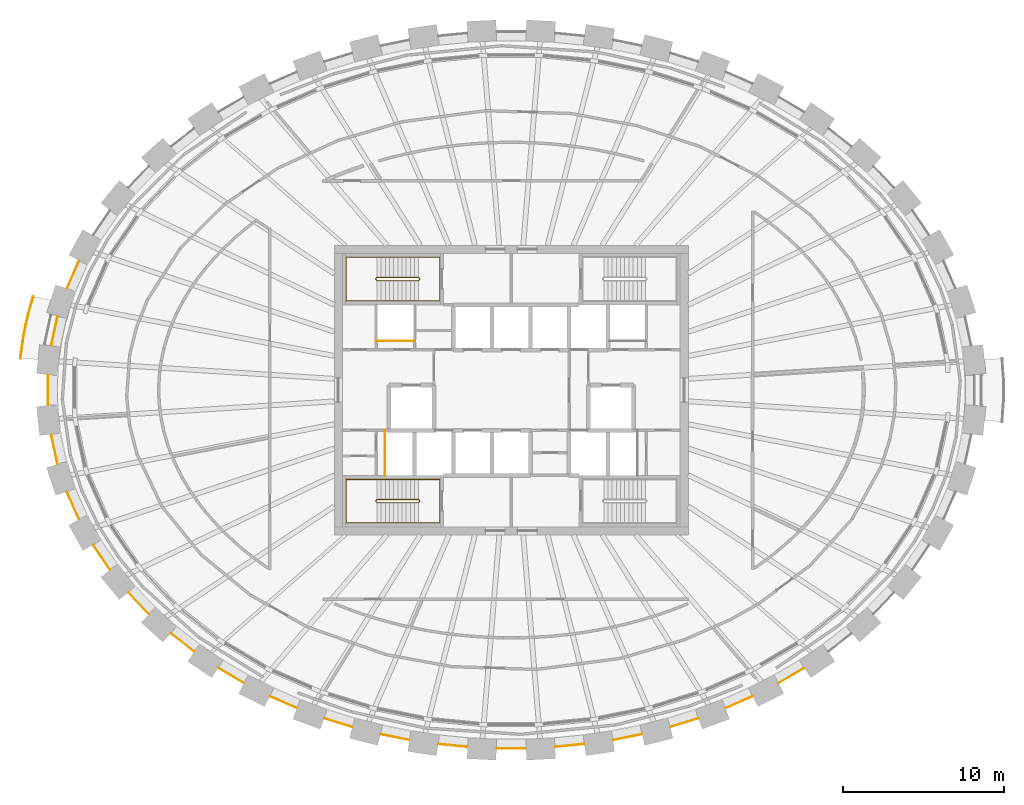
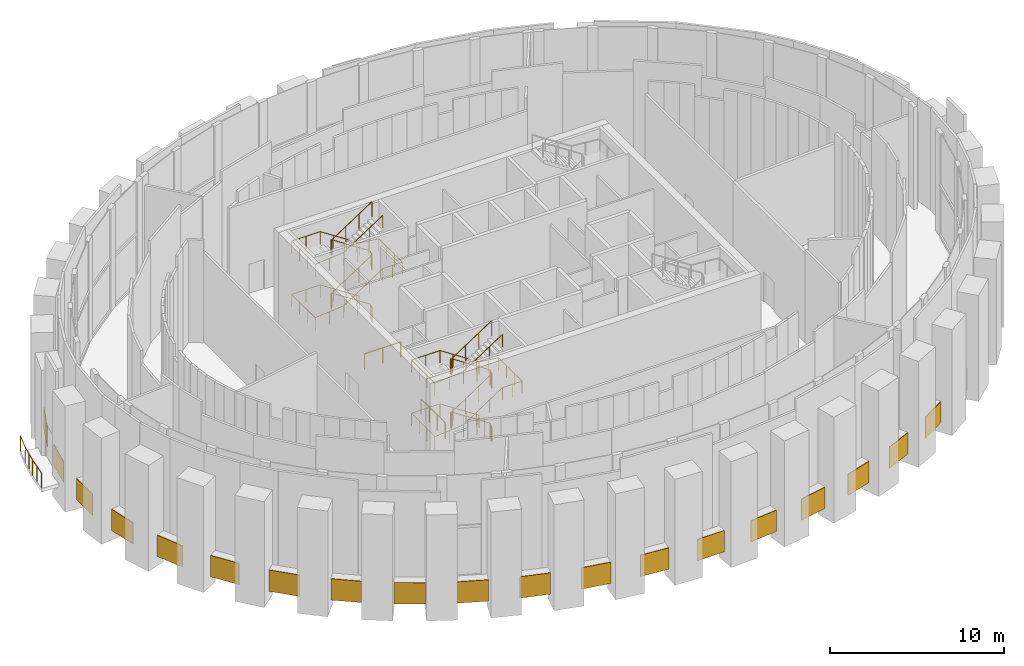
# One storey, part 15 of 16: 19 coverings, 7 railings.
"""IFC4 building model written with IfcOpenShell, lengths in metres."""

from ifc_helpers import new_model, si_unit, direction, frame, origin, origin_2d, place, context, subcontext, project, spatial, rectangle, circle, extrude, source, transform, mapped, material, layer, layer_set, type_object, element, save


model = new_model("IFC4")

# Units and contexts
model_context = context("Model", 3, precision=1e-05, world=origin(), true_north=direction((0.0, 1.0)))
body_context = subcontext(model_context, "Body", "Model", "MODEL_VIEW")
ifc_project = project(units=[si_unit("LENGTHUNIT", "METRE"), si_unit("AREAUNIT", "SQUARE_METRE"), si_unit("VOLUMEUNIT", "CUBIC_METRE"), si_unit("PLANEANGLEUNIT", "RADIAN"), si_unit("MASSUNIT", "GRAM", prefix="KILO")], contexts=[model_context])

# Site, building, storey
site_placement = place(None, origin())
site = spatial("IfcSite", under=ifc_project, at=site_placement, CompositionType="ELEMENT")
building_placement = place(site_placement, origin())
building = spatial("IfcBuilding", under=site, at=building_placement, Name="Embergate Tower", CompositionType="ELEMENT")
storey_placement = place(building_placement, frame((0.0, 0.0, 332.5)))
storey = spatial("IfcBuildingStorey", under=building, at=storey_placement, Name="L78", CompositionType="ELEMENT", Elevation=332.5)

# Coverings
ifc_material_1 = material(Name="Terracotta rainscreen on insulated backing", Category="masonry")
ifc_layer = layer(ifc_material_1, 0.0400390625)
ifc_layer_set = layer_set([ifc_layer], Name="Terracotta rainscreen on insulated backing")
covering_type = type_object("IfcCoveringType", Name="Terracotta rainscreen band", PredefinedType="CLADDING", material=ifc_layer_set)
shared_shape_1 = source(origin(), body_context, "Body", "SweptSolid", [
    extrude(rectangle(XDim=1.841064453125, YDim=0.0400390625, at=origin_2d()), origin(), (0.0, 0.0, 1.0), 1.5),
])
for number, where, z_axis, x_axis, name in (
    (1, (-28.393798828125, 3.673095703125, -0.75), (0.0, 0.0, 1.0), (-0.210197047879, -0.977659041314, 0.0), "Rainscreen band 21"),
    (2, (-28.393798828125, -3.673095703125, -0.75), (0.0, 0.0, 1.0), (0.210197047879, -0.977659041314, 0.0), "Rainscreen band 23"),
):
    element("IfcCovering", number, at=place(storey_placement, frame(where, z_axis=z_axis, x_axis=x_axis)), inside=storey, type_object=covering_type, Name=name, PredefinedType="CLADDING", context=body_context, shape_type="MappedRepresentation", body=[
        mapped(shared_shape_1, transform((0.0, 0.0, 0.0))),
    ])
shared_shape_2 = source(origin(), body_context, "Body", "SweptSolid", [
    extrude(rectangle(XDim=1.83349609375, YDim=0.0400390625, at=origin_2d()), origin(), (0.0, 0.0, 1.0), 1.5),
])
for number, where, z_axis, x_axis, name in (
    (3, (-27.240478515625, 7.175048828125, -0.75), (0.0, 0.0, 1.0), (-0.401934991555, -0.9156682055, 0.0), "Rainscreen band 20"),
    (4, (-27.240478515625, -7.175048828125, -0.75), (0.0, 0.0, 1.0), (0.401934991555, -0.9156682055, 0.0), "Rainscreen band 24"),
):
    element("IfcCovering", number, at=place(storey_placement, frame(where, z_axis=z_axis, x_axis=x_axis)), inside=storey, type_object=covering_type, Name=name, PredefinedType="CLADDING", context=body_context, shape_type="MappedRepresentation", body=[
        mapped(shared_shape_2, transform((0.0, 0.0, 0.0))),
    ])
shared_shape_3 = source(origin(), body_context, "Body", "SweptSolid", [
    extrude(rectangle(XDim=1.8291015625, YDim=0.0400390625, at=origin_2d()), origin(), (0.0, 0.0, 1.0), 1.5),
])
covering_1_placement = place(storey_placement, frame((-25.4599609375, -10.393310546875, -0.75), z_axis=(0.0, 0.0, 1.0), x_axis=(0.561995319464, -0.827140411841, 0.0)))
element("IfcCovering", 5, at=covering_1_placement, inside=storey, type_object=covering_type, Name="Rainscreen band 25", PredefinedType="CLADDING", context=body_context, shape_type="MappedRepresentation", body=[
    mapped(shared_shape_3, transform((0.0, 0.0, 0.0))),
])
shared_shape_4 = source(origin(), body_context, "Body", "SweptSolid", [
    extrude(rectangle(XDim=1.82421875, YDim=0.0400390625, at=origin_2d()), origin(), (0.0, 0.0, 1.0), 1.5),
])
covering_2_placement = place(storey_placement, frame((-23.155029296875, -13.24755859375, -0.75), z_axis=(0.0, 0.0, 1.0), x_axis=(0.690189357203, -0.723628807611, 0.0)))
element("IfcCovering", 6, at=covering_2_placement, inside=storey, type_object=covering_type, Name="Rainscreen band 26", PredefinedType="CLADDING", context=body_context, shape_type="MappedRepresentation", body=[
    mapped(shared_shape_4, transform((0.0, 0.0, 0.0))),
])
shared_shape_5 = source(origin(), body_context, "Body", "SweptSolid", [
    extrude(rectangle(XDim=1.81884765625, YDim=0.0400390625, at=origin_2d()), origin(), (0.0, 0.0, 1.0), 1.5),
])
covering_3_placement = place(storey_placement, frame((-20.429443359375, -15.690185546875, -0.75), z_axis=(0.0, 0.0, 1.0), x_axis=(0.788373808279, -0.615196503907, 0.0)))
element("IfcCovering", 7, at=covering_3_placement, inside=storey, type_object=covering_type, Name="Rainscreen band 27", PredefinedType="CLADDING", context=body_context, shape_type="MappedRepresentation", body=[
    mapped(shared_shape_5, transform((0.0, 0.0, 0.0))),
])
shared_shape_6 = source(origin(), body_context, "Body", "SweptSolid", [
    extrude(rectangle(XDim=1.814453125, YDim=0.0400390625, at=origin_2d()), origin(), (0.0, 0.0, 1.0), 1.5),
])
for number, where, z_axis, x_axis, name in (
    (8, (-17.40966796875, -17.743408203125, -0.75), (0.0, 0.0, 1.0), (0.861934612657, -0.507019450813, 0.0), "Rainscreen band 28"),
    (9, (17.40966796875, -17.743408203125, -0.75), (0.0, 0.0, 1.0), (0.861934612657, 0.507019450813, 0.0), "Rainscreen band 38"),
):
    element("IfcCovering", number, at=place(storey_placement, frame(where, z_axis=z_axis, x_axis=x_axis)), inside=storey, type_object=covering_type, Name=name, PredefinedType="CLADDING", context=body_context, shape_type="MappedRepresentation", body=[
        mapped(shared_shape_6, transform((0.0, 0.0, 0.0))),
    ])
shared_shape_7 = source(origin(), body_context, "Body", "SweptSolid", [
    extrude(rectangle(XDim=1.812744140625, YDim=0.0400390625, at=origin_2d()), origin(), (0.0, 0.0, 1.0), 1.5),
])
for number, where, z_axis, x_axis, name in (
    (10, (-14.16259765625, -19.400390625, -0.75), (0.0, 0.0, 1.0), (0.916296336583, -0.400500965747, 0.0), "Rainscreen band 29"),
    (11, (14.16259765625, -19.400390625, -0.75), (0.0, 0.0, 1.0), (0.916296336583, 0.400500965747, 0.0), "Rainscreen band 37"),
):
    element("IfcCovering", number, at=place(storey_placement, frame(where, z_axis=z_axis, x_axis=x_axis)), inside=storey, type_object=covering_type, Name=name, PredefinedType="CLADDING", context=body_context, shape_type="MappedRepresentation", body=[
        mapped(shared_shape_7, transform((0.0, 0.0, 0.0))),
    ])
shared_shape_8 = source(origin(), body_context, "Body", "SweptSolid", [
    extrude(rectangle(XDim=1.810791015625, YDim=0.0400390625, at=origin_2d()), origin(), (0.0, 0.0, 1.0), 1.5),
])
for number, where, z_axis, x_axis, name in (
    (12, (-10.751220703125, -20.672607421875, -0.75), (0.0, 0.0, 1.0), (0.954842767896, -0.297111576006, 0.0), "Rainscreen band 30"),
    (13, (10.751220703125, -20.672607421875, -0.75), (0.0, 0.0, 1.0), (0.954842767896, 0.297111576006, 0.0), "Rainscreen band 36"),
):
    element("IfcCovering", number, at=place(storey_placement, frame(where, z_axis=z_axis, x_axis=x_axis)), inside=storey, type_object=covering_type, Name=name, PredefinedType="CLADDING", context=body_context, shape_type="MappedRepresentation", body=[
        mapped(shared_shape_8, transform((0.0, 0.0, 0.0))),
    ])
shared_shape_9 = source(origin(), body_context, "Body", "SweptSolid", [
    extrude(rectangle(XDim=1.809326171875, YDim=0.0400390625, at=origin_2d()), origin(), (0.0, 0.0, 1.0), 1.5),
])
for number, where, z_axis, x_axis, name in (
    (14, (-7.22607421875, -21.572265625, -0.75), (0.0, 0.0, 1.0), (0.98045290629, -0.196753903515, 0.0), "Rainscreen band 31"),
    (15, (7.22607421875, -21.572265625, -0.75), (0.0, 0.0, 1.0), (0.98045290629, 0.196753903515, 0.0), "Rainscreen band 35"),
):
    element("IfcCovering", number, at=place(storey_placement, frame(where, z_axis=z_axis, x_axis=x_axis)), inside=storey, type_object=covering_type, Name=name, PredefinedType="CLADDING", context=body_context, shape_type="MappedRepresentation", body=[
        mapped(shared_shape_9, transform((0.0, 0.0, 0.0))),
    ])
shared_shape_10 = source(origin(), body_context, "Body", "SweptSolid", [
    extrude(rectangle(XDim=1.806640625, YDim=0.0400390625, at=origin_2d()), origin(), (0.0, 0.0, 1.0), 1.5),
])
for number, where, z_axis, x_axis, name in (
    (16, (-3.6279296875, -22.088134765625, -0.75), (0.0, 0.0, 1.0), (0.995189515505, -0.097968506312, 0.0), "Rainscreen band 32"),
    (17, (3.6279296875, -22.088134765625, -0.75), (0.0, 0.0, 1.0), (0.995189515505, 0.097968506312, 0.0), "Rainscreen band 34"),
):
    element("IfcCovering", number, at=place(storey_placement, frame(where, z_axis=z_axis, x_axis=x_axis)), inside=storey, type_object=covering_type, Name=name, PredefinedType="CLADDING", context=body_context, shape_type="MappedRepresentation", body=[
        mapped(shared_shape_10, transform((0.0, 0.0, 0.0))),
    ])
shared_shape_11 = source(origin(), body_context, "Body", "SweptSolid", [
    extrude(rectangle(XDim=1.805908203125, YDim=0.0400390625, at=origin_2d()), origin(), (0.0, 0.0, 1.0), 1.5),
])
covering_4_placement = place(storey_placement, frame((0.0, -22.26708984375, -0.75), z_axis=(0.0, 0.0, 1.0), x_axis=(1.0, 0.0, 0.0)))
element("IfcCovering", 18, at=covering_4_placement, inside=storey, type_object=covering_type, Name="Rainscreen band 33", PredefinedType="CLADDING", context=body_context, shape_type="MappedRepresentation", body=[
    mapped(shared_shape_11, transform((0.0, 0.0, 0.0))),
])
shared_shape_12 = source(origin(), body_context, "Body", "SweptSolid", [
    extrude(rectangle(XDim=1.842041015625, YDim=0.0400390625, at=origin_2d()), origin(), (0.0, 0.0, 1.0), 1.5),
])
covering_5_placement = place(storey_placement, frame((-28.784912109375, 0.0, -0.75), z_axis=(0.0, 0.0, 1.0), x_axis=(0.0, -1.0, 0.0)))
element("IfcCovering", 19, at=covering_5_placement, inside=storey, type_object=covering_type, Name="Rainscreen band 22", PredefinedType="CLADDING", context=body_context, shape_type="MappedRepresentation", body=[
    mapped(shared_shape_12, transform((0.0, 0.0, 0.0))),
])

# Railings
ifc_material_2 = material(Name="Stair guard 1100")
railing_type_1 = type_object("IfcRailingType", Name="Stair guard 1100", PredefinedType="GUARDRAIL", material=ifc_material_2)
shared_shape_13 = source(origin(), body_context, "Body", "SweptSolid", [
    extrude(circle(Radius=0.02392578125, at=origin_2d()), frame((0.0, 0.0, 1.076171875), z_axis=(0.0, 1.0, 0.0), x_axis=(-1.0, 0.0, 0.0)), (0.0, 0.0, 1.0), 0.099853515625),
    extrude(circle(Radius=0.02392578125, at=origin_2d()), frame((0.0, 0.099853515625, 1.076171875), z_axis=(-0.271230943075, 0.271230943075, 0.923508284228), x_axis=(-0.707106781187, -0.707106781187, 0.0)), (0.0, 0.0, 1.0), 0.1845703125),
    extrude(circle(Radius=0.02392578125, at=origin_2d()), frame((-0.050048828125, 0.14990234375, 1.24658203125), z_axis=(-0.836302213143, 0.0, 0.548268737292), x_axis=(0.0, -1.0, 0.0)), (0.0, 0.0, 1.0), 3.109130859375),
    extrude(circle(Radius=0.02392578125, at=origin_2d()), frame((-2.650146484375, 0.14990234375, 2.951171875), z_axis=(-0.705375805398, -0.708833529934, 0.0), x_axis=(0.708833529934, -0.705375805398, 0.0)), (0.0, 0.0, 1.0), 0.070556640625),
    extrude(circle(Radius=0.02392578125, at=origin_2d()), frame((-2.699951171875, 0.099853515625, 2.951171875), z_axis=(0.0, -1.0, 0.0), x_axis=(1.0, 0.0, 0.0)), (0.0, 0.0, 1.0), 0.099853515625),
    extrude(circle(Radius=0.02392578125, at=origin_2d()), frame((-2.699951171875, 0.0, 2.951171875), z_axis=(0.270004540015, -0.271328091682, 0.923839063385), x_axis=(0.708833529934, 0.705375805398, 0.0)), (0.0, 0.0, 1.0), 0.1845703125),
    extrude(circle(Radius=0.02392578125, at=origin_2d()), frame((-2.650146484375, -0.050048828125, 3.12158203125), z_axis=(0.836302213143, 0.0, 0.548268737292), x_axis=(0.0, 1.0, 0.0)), (0.0, 0.0, 1.0), 3.109130859375),
    extrude(circle(Radius=0.02392578125, at=origin_2d()), frame((-0.050048828125, -0.050048828125, 4.826171875), z_axis=(0.707106781187, 0.707106781187, 0.0), x_axis=(-0.707106781187, 0.707106781187, 0.0)), (0.0, 0.0, 1.0), 0.07080078125),
    extrude(circle(Radius=0.02392578125, at=origin_2d()), frame((0.0, 0.0, 4.826171875), z_axis=(0.0, 1.0, 0.0), x_axis=(-1.0, 0.0, 0.0)), (0.0, 0.0, 1.0), 0.099853515625),
    extrude(circle(Radius=0.02392578125, at=origin_2d()), frame((0.0, 0.099853515625, 4.826171875), z_axis=(-0.271230943075, 0.271230943075, 0.923508284228), x_axis=(-0.707106781187, -0.707106781187, 0.0)), (0.0, 0.0, 1.0), 0.1845703125),
    extrude(circle(Radius=0.02392578125, at=origin_2d()), frame((-0.050048828125, 0.14990234375, 4.99658203125), z_axis=(-0.836302213143, 0.0, 0.548268737292), x_axis=(0.0, -1.0, 0.0)), (0.0, 0.0, 1.0), 3.109130859375),
    extrude(circle(Radius=0.02392578125, at=origin_2d()), frame((-2.650146484375, 0.14990234375, 6.701171875), z_axis=(-0.705375805398, -0.708833529934, 0.0), x_axis=(0.708833529934, -0.705375805398, 0.0)), (0.0, 0.0, 1.0), 0.070556640625),
    extrude(circle(Radius=0.02392578125, at=origin_2d()), frame((-2.699951171875, 0.099853515625, 6.701171875), z_axis=(0.0, -1.0, 0.0), x_axis=(1.0, 0.0, 0.0)), (0.0, 0.0, 1.0), 0.099853515625),
    extrude(circle(Radius=0.02392578125, at=origin_2d()), frame((-2.699951171875, 0.0, 6.701171875), z_axis=(0.270004540015, -0.271328091682, 0.923839063385), x_axis=(0.708833529934, 0.705375805398, 0.0)), (0.0, 0.0, 1.0), 0.1845703125),
    extrude(circle(Radius=0.02392578125, at=origin_2d()), frame((-2.650146484375, -0.050048828125, 6.87158203125), z_axis=(0.836302213143, 0.0, 0.548268737292), x_axis=(0.0, 1.0, 0.0)), (0.0, 0.0, 1.0), 3.109130859375),
    extrude(circle(Radius=0.02099609375, at=origin_2d()), origin(), (0.0, 0.0, 1.0), 1.052001953125),
    extrude(circle(Radius=0.02099609375, at=origin_2d()), frame((0.0, 0.099853515625, 0.0)), (0.0, 0.0, 1.0), 1.052001953125),
    extrude(circle(Radius=0.02099609375, at=origin_2d()), frame((-0.050048828125, 0.14990234375, 0.17041015625)), (0.0, 0.0, 1.0), 1.052001953125),
    extrude(circle(Radius=0.02099609375, at=origin_2d()), frame((-0.916748046875, 0.14990234375, 0.738525390625)), (0.0, 0.0, 1.0), 1.052001953125),
    extrude(circle(Radius=0.02099609375, at=origin_2d()), frame((-1.783447265625, 0.14990234375, 1.306884765625)), (0.0, 0.0, 1.0), 1.052001953125),
    extrude(circle(Radius=0.02099609375, at=origin_2d()), frame((-2.650146484375, 0.14990234375, 1.875)), (0.0, 0.0, 1.0), 1.052001953125),
    extrude(circle(Radius=0.02099609375, at=origin_2d()), frame((-2.699951171875, 0.099853515625, 1.875)), (0.0, 0.0, 1.0), 1.052001953125),
    extrude(circle(Radius=0.02099609375, at=origin_2d()), frame((-2.699951171875, 0.0, 1.875)), (0.0, 0.0, 1.0), 1.052001953125),
    extrude(circle(Radius=0.02099609375, at=origin_2d()), frame((-2.650146484375, -0.050048828125, 2.04541015625)), (0.0, 0.0, 1.0), 1.052001953125),
    extrude(circle(Radius=0.02099609375, at=origin_2d()), frame((-1.783447265625, -0.050048828125, 2.613525390625)), (0.0, 0.0, 1.0), 1.052001953125),
    extrude(circle(Radius=0.02099609375, at=origin_2d()), frame((-0.916748046875, -0.050048828125, 3.181884765625)), (0.0, 0.0, 1.0), 1.052001953125),
    extrude(circle(Radius=0.02099609375, at=origin_2d()), frame((-0.050048828125, -0.050048828125, 3.75)), (0.0, 0.0, 1.0), 1.052001953125),
    extrude(circle(Radius=0.02099609375, at=origin_2d()), frame((0.0, 0.0, 3.75)), (0.0, 0.0, 1.0), 1.052001953125),
    extrude(circle(Radius=0.02099609375, at=origin_2d()), frame((0.0, 0.099853515625, 3.75)), (0.0, 0.0, 1.0), 1.052001953125),
    extrude(circle(Radius=0.02099609375, at=origin_2d()), frame((-0.050048828125, 0.14990234375, 3.92041015625)), (0.0, 0.0, 1.0), 1.052001953125),
    extrude(circle(Radius=0.02099609375, at=origin_2d()), frame((-0.916748046875, 0.14990234375, 4.488525390625)), (0.0, 0.0, 1.0), 1.052001953125),
    extrude(circle(Radius=0.02099609375, at=origin_2d()), frame((-1.783447265625, 0.14990234375, 5.056884765625)), (0.0, 0.0, 1.0), 1.052001953125),
    extrude(circle(Radius=0.02099609375, at=origin_2d()), frame((-2.650146484375, 0.14990234375, 5.625)), (0.0, 0.0, 1.0), 1.052001953125),
    extrude(circle(Radius=0.02099609375, at=origin_2d()), frame((-2.699951171875, 0.099853515625, 5.625)), (0.0, 0.0, 1.0), 1.052001953125),
    extrude(circle(Radius=0.02099609375, at=origin_2d()), frame((-2.699951171875, 0.0, 5.625)), (0.0, 0.0, 1.0), 1.052001953125),
    extrude(circle(Radius=0.02099609375, at=origin_2d()), frame((-2.650146484375, -0.050048828125, 5.79541015625)), (0.0, 0.0, 1.0), 1.052001953125),
    extrude(circle(Radius=0.02099609375, at=origin_2d()), frame((-1.783447265625, -0.050048828125, 6.363525390625)), (0.0, 0.0, 1.0), 1.052001953125),
    extrude(circle(Radius=0.02099609375, at=origin_2d()), frame((-0.916748046875, -0.050048828125, 6.931884765625)), (0.0, 0.0, 1.0), 1.052001953125),
    extrude(circle(Radius=0.02099609375, at=origin_2d()), frame((-0.050048828125, -0.050048828125, 7.5)), (0.0, 0.0, 1.0), 1.052001953125),
])
for number, where, name in (
    (20, (-5.699951171875, 6.85009765625, 0.0), "L78 ST1 stair guard 1"),
    (21, (-5.699951171875, -6.949951171875, 0.0), "L78 ST3 stair guard 1"),
):
    element("IfcRailing", number, at=place(storey_placement, frame(where)), inside=storey, type_object=railing_type_1, Name=name, PredefinedType="GUARDRAIL", context=body_context, shape_type="MappedRepresentation", body=[
        mapped(shared_shape_13, transform((0.0, 0.0, 0.0))),
    ])
ifc_material_3 = material(Name="Stair handrail 900")
railing_type_2 = type_object("IfcRailingType", Name="Stair handrail 900", PredefinedType="HANDRAIL", material=ifc_material_3)
shared_shape_14 = source(origin(), body_context, "Body", "SweptSolid", [
    extrude(circle(Radius=0.02392578125, at=origin_2d()), frame((0.0, 0.0, 0.8759765625), z_axis=(-0.836302213143, 0.0, 0.548268737292), x_axis=(0.0, -1.0, 0.0)), (0.0, 0.0, 1.0), 3.109130859375),
    extrude(circle(Radius=0.02392578125, at=origin_2d()), frame((-2.60009765625, 0.0, 2.58056640625), z_axis=(-1.0, 0.0, 0.0), x_axis=(0.0, -1.0, 0.0)), (0.0, 0.0, 1.0), 1.89990234375),
    extrude(circle(Radius=0.02392578125, at=origin_2d()), frame((-4.5, 0.0, 2.58056640625), z_axis=(0.0, -1.0, 0.0), x_axis=(1.0, 0.0, 0.0)), (0.0, 0.0, 1.0), 2.699951171875),
    extrude(circle(Radius=0.02392578125, at=origin_2d()), frame((-4.5, -2.699951171875, 2.58056640625), z_axis=(0.996001587731, 0.0, 0.08933553177), x_axis=(0.0, 1.0, 0.0)), (0.0, 0.0, 1.0), 1.907470703125),
    extrude(circle(Radius=0.02392578125, at=origin_2d()), frame((-2.60009765625, -2.699951171875, 2.7509765625), z_axis=(0.836302213143, 0.0, 0.548268737292), x_axis=(0.0, 1.0, 0.0)), (0.0, 0.0, 1.0), 3.109130859375),
    extrude(circle(Radius=0.02392578125, at=origin_2d()), frame((0.0, -2.699951171875, 4.45556640625), z_axis=(1.0, 0.0, 0.0), x_axis=(0.0, 1.0, 0.0)), (0.0, 0.0, 1.0), 1.300048828125),
    extrude(circle(Radius=0.02392578125, at=origin_2d()), frame((1.300048828125, -2.699951171875, 4.45556640625), z_axis=(0.0, 1.0, 0.0), x_axis=(-1.0, 0.0, 0.0)), (0.0, 0.0, 1.0), 2.699951171875),
    extrude(circle(Radius=0.02392578125, at=origin_2d()), frame((1.300048828125, 0.0, 4.45556640625), z_axis=(-0.991518186608, 0.0, 0.1299680177), x_axis=(0.0, -1.0, 0.0)), (0.0, 0.0, 1.0), 1.311279296875),
    extrude(circle(Radius=0.02392578125, at=origin_2d()), frame((0.0, 0.0, 4.6259765625), z_axis=(-0.836302213143, 0.0, 0.548268737292), x_axis=(0.0, -1.0, 0.0)), (0.0, 0.0, 1.0), 3.109130859375),
    extrude(circle(Radius=0.02392578125, at=origin_2d()), frame((-2.60009765625, 0.0, 6.33056640625), z_axis=(-1.0, 0.0, 0.0), x_axis=(0.0, -1.0, 0.0)), (0.0, 0.0, 1.0), 1.89990234375),
    extrude(circle(Radius=0.02392578125, at=origin_2d()), frame((-4.5, 0.0, 6.33056640625), z_axis=(0.0, -1.0, 0.0), x_axis=(1.0, 0.0, 0.0)), (0.0, 0.0, 1.0), 2.699951171875),
    extrude(circle(Radius=0.02392578125, at=origin_2d()), frame((-4.5, -2.699951171875, 6.33056640625), z_axis=(0.996001587731, 0.0, 0.08933553177), x_axis=(0.0, 1.0, 0.0)), (0.0, 0.0, 1.0), 1.907470703125),
    extrude(circle(Radius=0.02392578125, at=origin_2d()), frame((-2.60009765625, -2.699951171875, 6.5009765625), z_axis=(0.836302213143, 0.0, 0.548268737292), x_axis=(0.0, 1.0, 0.0)), (0.0, 0.0, 1.0), 3.109130859375),
    extrude(circle(Radius=0.02099609375, at=origin_2d()), origin(), (0.0, 0.0, 1.0), 0.851806640625),
    extrude(circle(Radius=0.02099609375, at=origin_2d()), frame((-0.86669921875, 0.0, 0.568115234375)), (0.0, 0.0, 1.0), 0.851806640625),
    extrude(circle(Radius=0.02099609375, at=origin_2d()), frame((-1.7333984375, 0.0, 1.136474609375)), (0.0, 0.0, 1.0), 0.851806640625),
    extrude(circle(Radius=0.02099609375, at=origin_2d()), frame((-2.60009765625, 0.0, 1.70458984375)), (0.0, 0.0, 1.0), 0.851806640625),
    extrude(circle(Radius=0.02099609375, at=origin_2d()), frame((-3.550048828125, 0.0, 1.70458984375)), (0.0, 0.0, 1.0), 0.851806640625),
    extrude(circle(Radius=0.02099609375, at=origin_2d()), frame((-4.5, 0.0, 1.70458984375)), (0.0, 0.0, 1.0), 0.851806640625),
    extrude(circle(Radius=0.02099609375, at=origin_2d()), frame((-4.5, -0.89990234375, 1.70458984375)), (0.0, 0.0, 1.0), 0.851806640625),
    extrude(circle(Radius=0.02099609375, at=origin_2d()), frame((-4.5, -1.800048828125, 1.70458984375)), (0.0, 0.0, 1.0), 0.851806640625),
    extrude(circle(Radius=0.02099609375, at=origin_2d()), frame((-4.5, -2.699951171875, 1.70458984375)), (0.0, 0.0, 1.0), 0.851806640625),
    extrude(circle(Radius=0.02099609375, at=origin_2d()), frame((-3.550048828125, -2.699951171875, 1.789794921875)), (0.0, 0.0, 1.0), 0.851806640625),
    extrude(circle(Radius=0.02099609375, at=origin_2d()), frame((-2.60009765625, -2.699951171875, 1.875)), (0.0, 0.0, 1.0), 0.851806640625),
    extrude(circle(Radius=0.02099609375, at=origin_2d()), frame((-1.7333984375, -2.699951171875, 2.443115234375)), (0.0, 0.0, 1.0), 0.851806640625),
    extrude(circle(Radius=0.02099609375, at=origin_2d()), frame((-0.86669921875, -2.699951171875, 3.011474609375)), (0.0, 0.0, 1.0), 0.851806640625),
    extrude(circle(Radius=0.02099609375, at=origin_2d()), frame((0.0, -2.699951171875, 3.57958984375)), (0.0, 0.0, 1.0), 0.851806640625),
    extrude(circle(Radius=0.02099609375, at=origin_2d()), frame((0.64990234375, -2.699951171875, 3.57958984375)), (0.0, 0.0, 1.0), 0.851806640625),
    extrude(circle(Radius=0.02099609375, at=origin_2d()), frame((1.300048828125, -2.699951171875, 3.57958984375)), (0.0, 0.0, 1.0), 0.851806640625),
    extrude(circle(Radius=0.02099609375, at=origin_2d()), frame((1.300048828125, -1.800048828125, 3.57958984375)), (0.0, 0.0, 1.0), 0.851806640625),
    extrude(circle(Radius=0.02099609375, at=origin_2d()), frame((1.300048828125, -0.89990234375, 3.57958984375)), (0.0, 0.0, 1.0), 0.851806640625),
    extrude(circle(Radius=0.02099609375, at=origin_2d()), frame((1.300048828125, 0.0, 3.57958984375)), (0.0, 0.0, 1.0), 0.851806640625),
    extrude(circle(Radius=0.02099609375, at=origin_2d()), frame((0.64990234375, 0.0, 3.664794921875)), (0.0, 0.0, 1.0), 0.851806640625),
    extrude(circle(Radius=0.02099609375, at=origin_2d()), frame((0.0, 0.0, 3.75)), (0.0, 0.0, 1.0), 0.851806640625),
    extrude(circle(Radius=0.02099609375, at=origin_2d()), frame((-0.86669921875, 0.0, 4.318115234375)), (0.0, 0.0, 1.0), 0.851806640625),
    extrude(circle(Radius=0.02099609375, at=origin_2d()), frame((-1.7333984375, 0.0, 4.886474609375)), (0.0, 0.0, 1.0), 0.851806640625),
    extrude(circle(Radius=0.02099609375, at=origin_2d()), frame((-2.60009765625, 0.0, 5.45458984375)), (0.0, 0.0, 1.0), 0.851806640625),
    extrude(circle(Radius=0.02099609375, at=origin_2d()), frame((-3.550048828125, 0.0, 5.45458984375)), (0.0, 0.0, 1.0), 0.851806640625),
    extrude(circle(Radius=0.02099609375, at=origin_2d()), frame((-4.5, 0.0, 5.45458984375)), (0.0, 0.0, 1.0), 0.851806640625),
    extrude(circle(Radius=0.02099609375, at=origin_2d()), frame((-4.5, -0.89990234375, 5.45458984375)), (0.0, 0.0, 1.0), 0.851806640625),
    extrude(circle(Radius=0.02099609375, at=origin_2d()), frame((-4.5, -1.800048828125, 5.45458984375)), (0.0, 0.0, 1.0), 0.851806640625),
    extrude(circle(Radius=0.02099609375, at=origin_2d()), frame((-4.5, -2.699951171875, 5.45458984375)), (0.0, 0.0, 1.0), 0.851806640625),
    extrude(circle(Radius=0.02099609375, at=origin_2d()), frame((-3.550048828125, -2.699951171875, 5.539794921875)), (0.0, 0.0, 1.0), 0.851806640625),
    extrude(circle(Radius=0.02099609375, at=origin_2d()), frame((-2.60009765625, -2.699951171875, 5.625)), (0.0, 0.0, 1.0), 0.851806640625),
    extrude(circle(Radius=0.02099609375, at=origin_2d()), frame((-1.7333984375, -2.699951171875, 6.193115234375)), (0.0, 0.0, 1.0), 0.851806640625),
    extrude(circle(Radius=0.02099609375, at=origin_2d()), frame((-0.86669921875, -2.699951171875, 6.761474609375)), (0.0, 0.0, 1.0), 0.851806640625),
    extrude(circle(Radius=0.02099609375, at=origin_2d()), frame((0.0, -2.699951171875, 7.32958984375)), (0.0, 0.0, 1.0), 0.851806640625),
])
for number, where, name in (
    (22, (-5.75, 8.25, 0.17041015625), "L78 ST1 stair handrail 1"),
    (23, (-5.75, -5.550048828125, 0.17041015625), "L78 ST3 stair handrail 1"),
):
    element("IfcRailing", number, at=place(storey_placement, frame(where)), inside=storey, type_object=railing_type_2, Name=name, PredefinedType="HANDRAIL", context=body_context, shape_type="MappedRepresentation", body=[
        mapped(shared_shape_14, transform((0.0, 0.0, 0.0))),
    ])
ifc_material_4 = material(Name="Opening guard 1100")
railing_type_3 = type_object("IfcRailingType", Name="Opening guard 1100", PredefinedType="GUARDRAIL", material=ifc_material_4)
shared_shape_15 = source(origin(), body_context, "Body", "SweptSolid", [
    extrude(circle(Radius=0.02392578125, at=origin_2d()), frame((0.0, 0.0, 1.076171875), z_axis=(0.0, 1.0, 0.0), x_axis=(-1.0, 0.0, 0.0)), (0.0, 0.0, 1.0), 2.800048828125),
    extrude(circle(Radius=0.02099609375, at=origin_2d()), origin(), (0.0, 0.0, 1.0), 1.052001953125),
    extrude(circle(Radius=0.02099609375, at=origin_2d()), frame((0.0, 0.933349609375, 0.0)), (0.0, 0.0, 1.0), 1.052001953125),
    extrude(circle(Radius=0.02099609375, at=origin_2d()), frame((0.0, 1.86669921875, 0.0)), (0.0, 0.0, 1.0), 1.052001953125),
    extrude(circle(Radius=0.02099609375, at=origin_2d()), frame((0.0, 2.800048828125, 0.0)), (0.0, 0.0, 1.0), 1.052001953125),
])
railing_1_placement = place(storey_placement, frame((-7.85009765625, -5.300048828125, 0.0)))
element("IfcRailing", 24, at=railing_1_placement, inside=storey, type_object=railing_type_3, Name="Riser opening guard", PredefinedType="GUARDRAIL", context=body_context, shape_type="MappedRepresentation", body=[
    mapped(shared_shape_15, transform((0.0, 0.0, 0.0))),
])
shared_shape_16 = source(origin(), body_context, "Body", "SweptSolid", [
    extrude(circle(Radius=0.02392578125, at=origin_2d()), frame((0.0, 0.0, 1.076171875), z_axis=(1.0, 0.0, 0.0), x_axis=(0.0, 1.0, 0.0)), (0.0, 0.0, 1.0), 2.39990234375),
    extrude(circle(Radius=0.02099609375, at=origin_2d()), origin(), (0.0, 0.0, 1.0), 1.052001953125),
    extrude(circle(Radius=0.02099609375, at=origin_2d()), frame((1.199951171875, 0.0, 0.0)), (0.0, 0.0, 1.0), 1.052001953125),
    extrude(circle(Radius=0.02099609375, at=origin_2d()), frame((2.39990234375, 0.0, 0.0)), (0.0, 0.0, 1.0), 1.052001953125),
])
railing_2_placement = place(storey_placement, frame((-8.39990234375, 3.050048828125, 0.0)))
element("IfcRailing", 25, at=railing_2_placement, inside=storey, type_object=railing_type_3, Name="Riser opening guard", PredefinedType="GUARDRAIL", context=body_context, shape_type="MappedRepresentation", body=[
    mapped(shared_shape_16, transform((0.0, 0.0, 0.0))),
])
ifc_material_5 = material(Name="Stainless steel", Category="steel")
railing_type_4 = type_object("IfcRailingType", Name="Terrace guard 1100", PredefinedType="GUARDRAIL", material=ifc_material_5)
shared_shape_17 = source(origin(), body_context, "Body", "SweptSolid", [
    extrude(circle(Radius=0.02490234375, at=origin_2d()), frame((0.0, 0.0, 1.0751953125), z_axis=(0.069141071765, 0.997606892616, 0.0), x_axis=(-0.997606892616, 0.069141071765, 0.0)), (0.0, 0.0, 1.0), 0.07421875),
    extrude(circle(Radius=0.02490234375, at=origin_2d()), frame((0.005126953125, 0.073974609375, 1.0751953125), z_axis=(0.141648422507, 0.989917029049, 0.0), x_axis=(-0.989917029049, 0.141648422507, 0.0)), (0.0, 0.0, 1.0), 1.354736328125),
    extrude(circle(Radius=0.02490234375, at=origin_2d()), frame((0.197021484375, 1.4150390625, 1.0751953125), z_axis=(0.210645920736, 0.977562425668, 0.0), x_axis=(-0.977562425668, 0.210645920736, 0.0)), (0.0, 0.0, 1.0), 1.3583984375),
    extrude(circle(Radius=0.02490234375, at=origin_2d()), frame((0.483154296875, 2.742919921875, 1.0751953125), z_axis=(0.27701755085, 0.960864858615, 0.0), x_axis=(-0.960864858615, 0.27701755085, 0.0)), (0.0, 0.0, 1.0), 1.151123046875),
    extrude(circle(Radius=0.02490234375, at=origin_2d()), origin(), (0.0, 0.0, 1.0), 1.050048828125),
    extrude(circle(Radius=0.02490234375, at=origin_2d()), frame((0.005126953125, 0.073974609375, 0.0)), (0.0, 0.0, 1.0), 1.050048828125),
    extrude(circle(Radius=0.02490234375, at=origin_2d()), frame((0.10107421875, 0.74462890625, 0.0)), (0.0, 0.0, 1.0), 1.050048828125),
    extrude(circle(Radius=0.02490234375, at=origin_2d()), frame((0.197021484375, 1.4150390625, 0.0)), (0.0, 0.0, 1.0), 1.050048828125),
    extrude(circle(Radius=0.02490234375, at=origin_2d()), frame((0.340087890625, 2.0791015625, 0.0)), (0.0, 0.0, 1.0), 1.050048828125),
    extrude(circle(Radius=0.02490234375, at=origin_2d()), frame((0.483154296875, 2.742919921875, 0.0)), (0.0, 0.0, 1.0), 1.050048828125),
    extrude(circle(Radius=0.02490234375, at=origin_2d()), frame((0.802001953125, 3.848876953125, 0.0)), (0.0, 0.0, 1.0), 1.050048828125),
])
railing_3_placement = place(storey_placement, frame((-30.506103515625, 1.968017578125, 0.0)))
element("IfcRailing", 26, at=railing_3_placement, inside=storey, type_object=railing_type_4, Name="Terrace guard W", PredefinedType="GUARDRAIL", context=body_context, shape_type="MappedRepresentation", body=[
    mapped(shared_shape_17, transform((0.0, 0.0, 0.0))),
])

save(model, "model.ifc")
